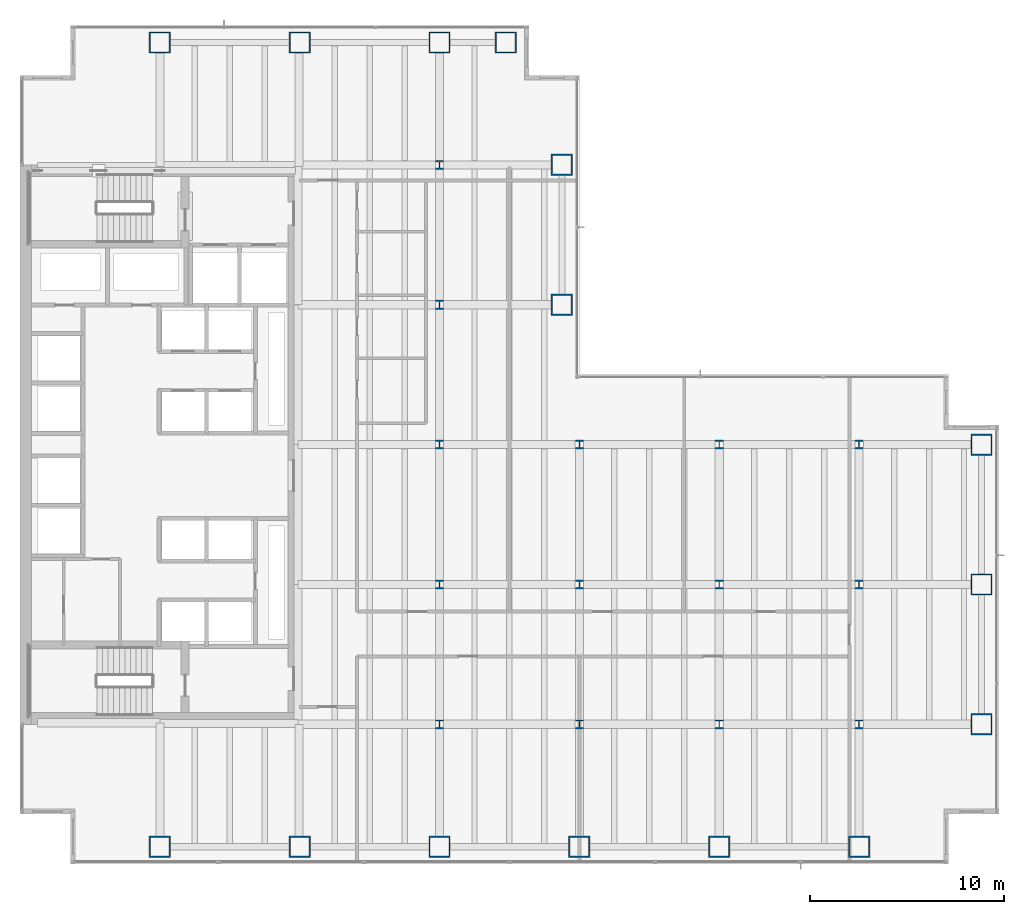
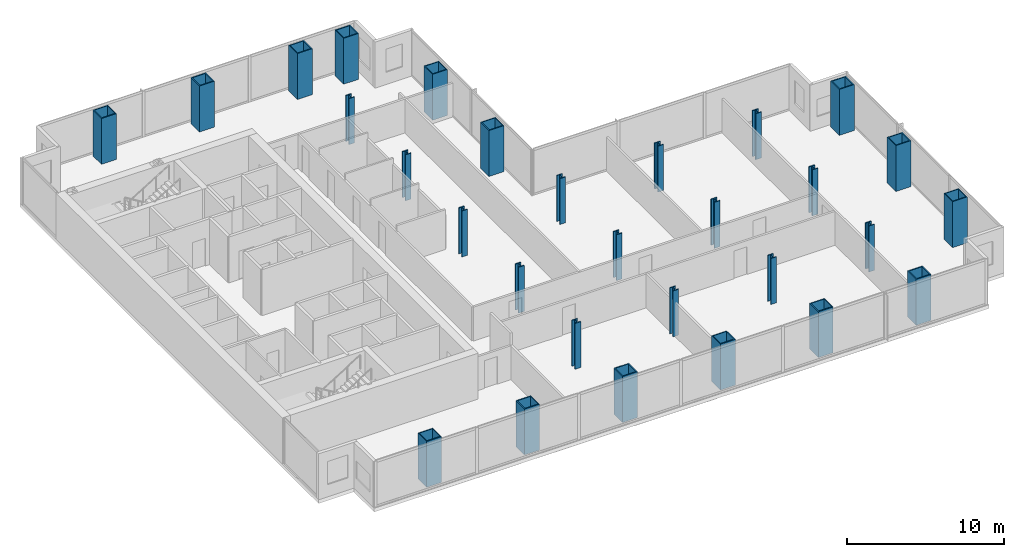
# One storey, part 1 of 25: 29 columns.
"""IFC4 building model written with IfcOpenShell, lengths in metres."""

from ifc_helpers import new_model, si_unit, direction, frame, origin, origin_2d, place, context, subcontext, project, spatial, hollow_rectangle, i_section, extrude, material, material_profile, profile_set, type_object, element, save


model = new_model("IFC4")

# Units and contexts
model_context = context("Model", 3, precision=1e-05, world=origin(), true_north=direction((0.0, 1.0)))
body_context = subcontext(model_context, "Body", "Model", "MODEL_VIEW")
ifc_project = project(units=[si_unit("LENGTHUNIT", "METRE"), si_unit("AREAUNIT", "SQUARE_METRE"), si_unit("VOLUMEUNIT", "CUBIC_METRE"), si_unit("PLANEANGLEUNIT", "RADIAN"), si_unit("MASSUNIT", "GRAM", prefix="KILO")], contexts=[model_context])

# Site, building, storey
site_placement = place(None, origin())
site = spatial("IfcSite", under=ifc_project, at=site_placement, CompositionType="ELEMENT")
building_placement = place(site_placement, origin())
building = spatial("IfcBuilding", under=site, at=building_placement, Name="Cobrela Telecom Tower", CompositionType="ELEMENT")
storey_placement = place(building_placement, frame((0.0, 0.0, 35.0)))
storey = spatial("IfcBuildingStorey", under=building, at=storey_placement, Name="L08", CompositionType="ELEMENT", Elevation=35.0)

# Columns
ifc_material_1 = material(Name="Steel ASTM A992 Grade 50", Category="steel")
ifc_material_profile_1 = material_profile(ifc_material_1, i_section(OverallWidth=0.422119140625, OverallDepth=0.465087890625, WebThickness=0.044921875, FlangeThickness=0.072509765625, FilletRadius=0.01806640625, at=origin_2d()), Name="W14X398")
ifc_profile_set_1 = profile_set([ifc_material_profile_1], Name="Steel ASTM A992 Grade 50")
column_type_1 = type_object("IfcColumnType", Name="COL-INT-04", PredefinedType="COLUMN", material=ifc_profile_set_1)
for number, where, z_axis, x_axis, name in (
    (1, (21.60009765625, 7.199951171875, 0.0), (0.0, 0.0, 1.0), (1.0, 0.0, 0.0), "L08 Interior Column 06"),
    (2, (21.60009765625, 14.39990234375, 0.0), (0.0, 0.0, 1.0), (1.0, 0.0, 0.0), "L08 Interior Column 07"),
    (3, (21.60009765625, 21.60009765625, 0.0), (0.0, 0.0, 1.0), (1.0, 0.0, 0.0), "L08 Interior Column 08"),
    (4, (21.60009765625, 28.800048828125, 0.0), (0.0, 0.0, 1.0), (1.0, 0.0, 0.0), "L08 Interior Column 09"),
    (5, (21.60009765625, 36.0, 0.0), (0.0, 0.0, 1.0), (1.0, 0.0, 0.0), "L08 Interior Column 10"),
    (6, (28.800048828125, 7.199951171875, 0.0), (0.0, 0.0, 1.0), (1.0, 0.0, 0.0), "L08 Interior Column 16"),
    (7, (28.800048828125, 14.39990234375, 0.0), (0.0, 0.0, 1.0), (1.0, 0.0, 0.0), "L08 Interior Column 17"),
    (8, (28.800048828125, 21.60009765625, 0.0), (0.0, 0.0, 1.0), (1.0, 0.0, 0.0), "L08 Interior Column 18"),
    (9, (36.0, 7.199951171875, 0.0), (0.0, 0.0, 1.0), (1.0, 0.0, 0.0), "L08 Interior Column 20"),
    (10, (36.0, 14.39990234375, 0.0), (0.0, 0.0, 1.0), (1.0, 0.0, 0.0), "L08 Interior Column 21"),
    (11, (36.0, 21.60009765625, 0.0), (0.0, 0.0, 1.0), (1.0, 0.0, 0.0), "L08 Interior Column 22"),
    (12, (43.199951171875, 7.199951171875, 0.0), (0.0, 0.0, 1.0), (1.0, 0.0, 0.0), "L08 Interior Column 24"),
    (13, (43.199951171875, 14.39990234375, 0.0), (0.0, 0.0, 1.0), (1.0, 0.0, 0.0), "L08 Interior Column 25"),
    (14, (43.199951171875, 21.60009765625, 0.0), (0.0, 0.0, 1.0), (1.0, 0.0, 0.0), "L08 Interior Column 26"),
):
    element("IfcColumn", number, at=place(storey_placement, frame(where, z_axis=z_axis, x_axis=x_axis)), inside=storey, type_object=column_type_1, Name=name, PredefinedType="COLUMN", context=body_context, shape_type="SweptSolid", body=[
        extrude(i_section(OverallWidth=0.422119140625, OverallDepth=0.465087890625, WebThickness=0.044921875, FlangeThickness=0.072509765625, FilletRadius=0.01806640625, at=origin_2d()), origin(), (0.0, 0.0, 1.0), 3.570068359375),
    ])
ifc_material_2 = material(Name="Steel ASTM A572 Grade 50", Category="steel")
ifc_material_profile_2 = material_profile(ifc_material_2, hollow_rectangle(XDim=1.10009765625, YDim=1.10009765625, WallThickness=0.070068359375, at=origin_2d()), Name="BOX 1100x1100x70")
ifc_profile_set_2 = profile_set([ifc_material_profile_2], Name="Steel ASTM A572 Grade 50")
column_type_2 = type_object("IfcColumnType", Name="COL-MEGA-02", PredefinedType="COLUMN", material=ifc_profile_set_2)
for number, where, z_axis, x_axis, name in (
    (15, (7.199951171875, 0.89990234375, 0.0), (0.0, 0.0, 1.0), (1.0, 0.0, 0.0), "L08 Perimeter Mega-Column 01"),
    (16, (7.199951171875, 42.300048828125, 0.0), (0.0, 0.0, 1.0), (1.0, 0.0, 0.0), "L08 Perimeter Mega-Column 02"),
    (17, (14.39990234375, 0.89990234375, 0.0), (0.0, 0.0, 1.0), (1.0, 0.0, 0.0), "L08 Perimeter Mega-Column 03"),
    (18, (14.39990234375, 42.300048828125, 0.0), (0.0, 0.0, 1.0), (1.0, 0.0, 0.0), "L08 Perimeter Mega-Column 04"),
    (19, (21.60009765625, 0.89990234375, 0.0), (0.0, 0.0, 1.0), (1.0, 0.0, 0.0), "L08 Perimeter Mega-Column 05"),
    (20, (21.60009765625, 42.300048828125, 0.0), (0.0, 0.0, 1.0), (1.0, 0.0, 0.0), "L08 Perimeter Mega-Column 11"),
    (21, (25.0, 42.300048828125, 0.0), (0.0, 0.0, 1.0), (1.0, 0.0, 0.0), "L08 Perimeter Mega-Column 12"),
    (22, (27.89990234375, 28.800048828125, 0.0), (0.0, 0.0, 1.0), (1.0, 0.0, 0.0), "L08 Perimeter Mega-Column 13"),
    (23, (27.89990234375, 36.0, 0.0), (0.0, 0.0, 1.0), (1.0, 0.0, 0.0), "L08 Perimeter Mega-Column 14"),
    (24, (28.800048828125, 0.89990234375, 0.0), (0.0, 0.0, 1.0), (1.0, 0.0, 0.0), "L08 Perimeter Mega-Column 15"),
    (25, (36.0, 0.89990234375, 0.0), (0.0, 0.0, 1.0), (1.0, 0.0, 0.0), "L08 Perimeter Mega-Column 19"),
    (26, (43.199951171875, 0.89990234375, 0.0), (0.0, 0.0, 1.0), (1.0, 0.0, 0.0), "L08 Perimeter Mega-Column 23"),
    (27, (49.5, 7.199951171875, 0.0), (0.0, 0.0, 1.0), (1.0, 0.0, 0.0), "L08 Perimeter Mega-Column 27"),
    (28, (49.5, 14.39990234375, 0.0), (0.0, 0.0, 1.0), (1.0, 0.0, 0.0), "L08 Perimeter Mega-Column 28"),
    (29, (49.5, 21.60009765625, 0.0), (0.0, 0.0, 1.0), (1.0, 0.0, 0.0), "L08 Perimeter Mega-Column 29"),
):
    element("IfcColumn", number, at=place(storey_placement, frame(where, z_axis=z_axis, x_axis=x_axis)), inside=storey, type_object=column_type_2, Name=name, PredefinedType="COLUMN", context=body_context, shape_type="SweptSolid", body=[
        extrude(hollow_rectangle(XDim=1.10009765625, YDim=1.10009765625, WallThickness=0.070068359375, at=origin_2d()), origin(), (0.0, 0.0, 1.0), 3.570068359375),
    ])

save(model, "model.ifc")
